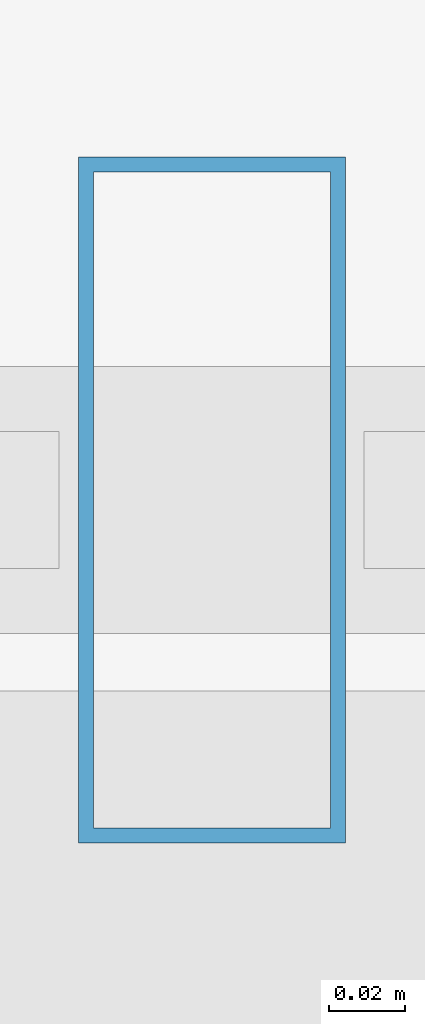
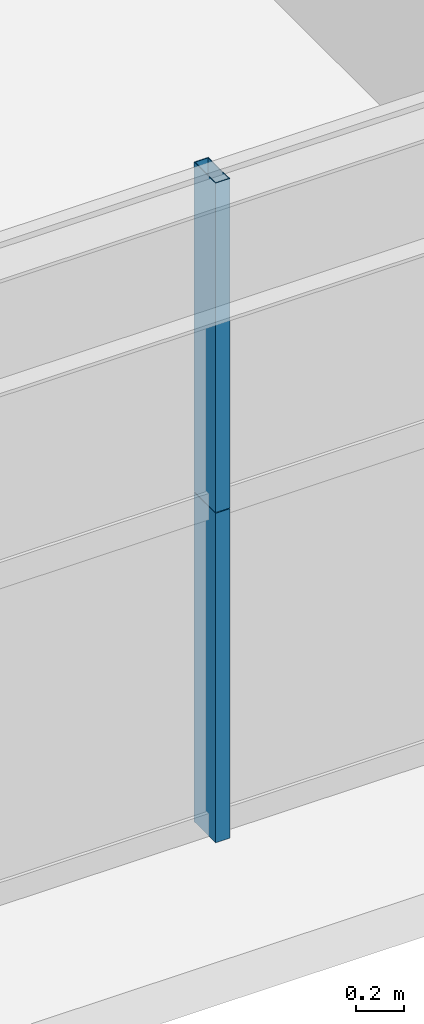
# One storey, part 14 of 45: 2 members, 1 element without a shape of its own.
"""IFC4 building model written with IfcOpenShell, lengths in metres."""

from ifc_helpers import new_model, si_unit, direction, frame, origin, origin_2d, place, context, subcontext, project, spatial, hollow_rectangle, extrude, source, transform, mapped, material, layer, layer_set, material_profile, profile_set, type_object, element, aggregate, save


model = new_model("IFC4")

# Units and contexts
model_context = context("Model", 3, precision=1e-05, world=origin(), true_north=direction((0.0, 1.0)))
body_context = subcontext(model_context, "Body", "Model", "MODEL_VIEW")
ifc_project = project(units=[si_unit("LENGTHUNIT", "METRE"), si_unit("AREAUNIT", "SQUARE_METRE"), si_unit("VOLUMEUNIT", "CUBIC_METRE"), si_unit("PLANEANGLEUNIT", "RADIAN"), si_unit("MASSUNIT", "GRAM", prefix="KILO"), si_unit("THERMODYNAMICTEMPERATUREUNIT", "KELVIN"), si_unit("POWERUNIT", "WATT")], contexts=[model_context])

# Site, building, storey
site_placement = place(None, origin())
site = spatial("IfcSite", under=ifc_project, at=site_placement, CompositionType="ELEMENT")
building_placement = place(site_placement, origin())
building = spatial("IfcBuilding", under=site, at=building_placement, Name="Yuzanri Waterfront Tower", CompositionType="ELEMENT")
storey_placement = place(building_placement, frame((0.0, 0.0, 49.60009765625)))
storey = spatial("IfcBuildingStorey", under=building, at=storey_placement, Name="L12", CompositionType="ELEMENT", Elevation=49.60009765625)

# Curtain wall, members
ifc_material_1 = material(Name="Anodized Architectural Bronze", Category="metal")
ifc_layer = layer(ifc_material_1, 0.159912109375)
ifc_layer_set = layer_set([ifc_layer], Name="Anodized Architectural Bronze")
curtain_wall_type = type_object("IfcCurtainWallType", Name="Anodized Bronze Hotel Lower-Tier Recessed Unitized Curtain Wall 8100", PredefinedType="NOTDEFINED", material=ifc_layer_set)
curtain_wall_placement = place(storey_placement, origin())
curtain_wall = element("IfcCurtainWall", 1, at=curtain_wall_placement, inside=storey, type_object=curtain_wall_type, Name="L12 Curtain Wall CW-L12-SR", PredefinedType="NOTDEFINED")
ifc_material_2 = material(Name="Anodized Architectural Bronze", Category="metal")
ifc_material_profile = material_profile(ifc_material_2, hollow_rectangle(XDim=0.070068359375, YDim=0.179931640625, WallThickness=0.00390625, at=origin_2d()), Name="CWM 70x180")
ifc_profile_set = profile_set([ifc_material_profile], Name="Anodized Architectural Bronze")
member_type = type_object("IfcMemberType", Name="Anodized Bronze Standard Curtain-Wall Mullion 70x180", PredefinedType="MULLION", material=ifc_profile_set)
shared_shape = source(origin(), body_context, "Body", "SweptSolid", [
    extrude(hollow_rectangle(XDim=0.070068359375, YDim=0.179931640625, WallThickness=0.00390625, at=origin_2d()), origin(), (0.0, 0.0, 1.0), 1.68798828125),
])
member_1_placement = place(storey_placement, frame((46.10009765625, 0.85009765625, 0.0), z_axis=(0.0, 0.0, 1.0), x_axis=(1.0, 0.0, 0.0)))
member_1 = element("IfcMember", 2, at=member_1_placement, type_object=member_type, Name="CW-L12-SR Lower Mullion 01", PredefinedType="MULLION", context=body_context, shape_type="MappedRepresentation", body=[
    mapped(shared_shape, transform((0.0, 0.0, 0.0), scale=1.0)),
])
member_2_placement = place(storey_placement, frame((46.10009765625, 0.85009765625, 1.69189453125), z_axis=(0.0, 0.0, 1.0), x_axis=(1.0, 0.0, 0.0)))
member_2 = element("IfcMember", 3, at=member_2_placement, type_object=member_type, Name="CW-L12-SR Upper Mullion 01", PredefinedType="MULLION", context=body_context, shape_type="MappedRepresentation", body=[
    mapped(shared_shape, transform((0.0, 0.0, 0.0), scale=1.0)),
])
aggregate(curtain_wall, [member_1, member_2])

save(model, "model.ifc")
